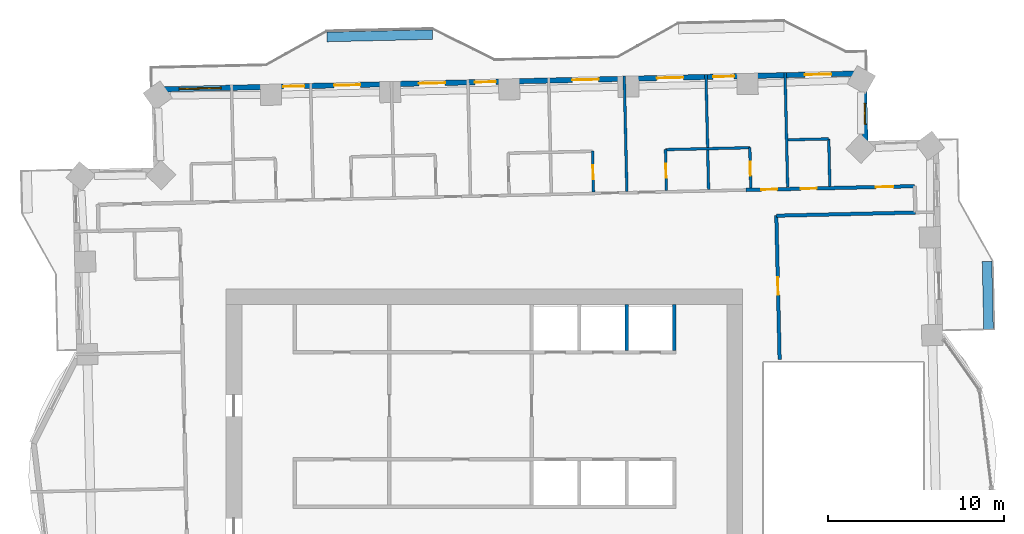
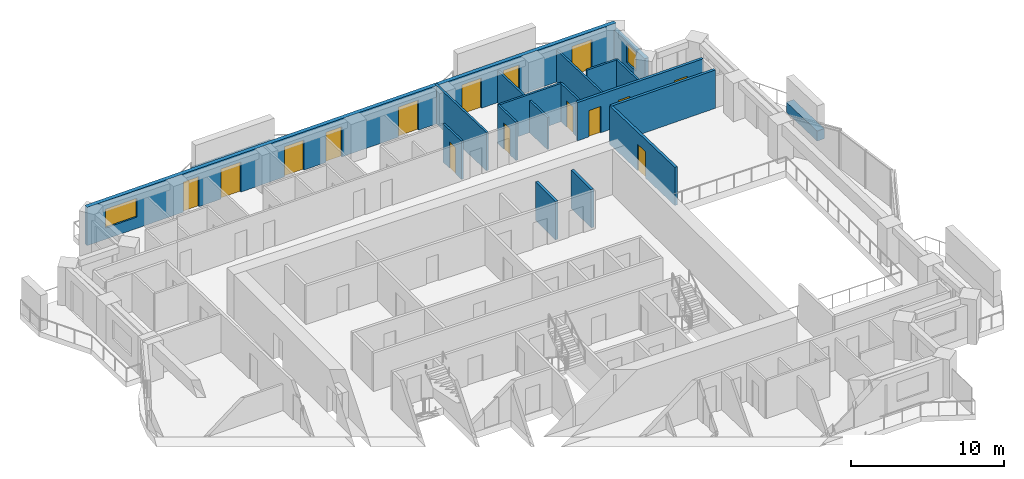
# One storey, part 11 of 16: 18 walls, 15 doors, 2 windows, 17 openings.
"""IFC4 building model written with IfcOpenShell, lengths in metres."""

from ifc_helpers import new_model, si_unit, direction, frame, frame_2d, origin, place, context, subcontext, project, spatial, rectangle, extrude, material, layer, layer_set, type_object, element, fill, save


model = new_model("IFC4")

# Units and contexts
model_context = context("Model", 3, precision=1e-05, world=origin(), true_north=direction((0.0, 1.0)))
body_context = subcontext(model_context, "Body", "Model", "MODEL_VIEW")
ifc_project = project(units=[si_unit("LENGTHUNIT", "METRE"), si_unit("AREAUNIT", "SQUARE_METRE"), si_unit("VOLUMEUNIT", "CUBIC_METRE"), si_unit("PLANEANGLEUNIT", "RADIAN"), si_unit("MASSUNIT", "GRAM", prefix="KILO")], contexts=[model_context])

# Site, building, storey
site_placement = place(None, origin())
site = spatial("IfcSite", under=ifc_project, at=site_placement, CompositionType="ELEMENT")
building_placement = place(site_placement, origin())
building = spatial("IfcBuilding", under=site, at=building_placement, Name="Mangrove Gate Tower", CompositionType="ELEMENT")
storey_placement = place(building_placement, frame((0.0, 0.0, 175.300048828125)))
storey = spatial("IfcBuildingStorey", under=building, at=storey_placement, Name="L44", CompositionType="ELEMENT", Elevation=175.300048828125)

# Walls
ifc_material_1 = material(Name="Concrete C60/75", Category="concrete")
ifc_layer_1 = layer(ifc_material_1, 0.199951171875)
ifc_layer_set_1 = layer_set([ifc_layer_1], Name="Core shaft wall 200 C60/75")
wall_type_1 = type_object("IfcWallType", Name="Core shaft wall 200 C60/75", PredefinedType="SHEAR", material=ifc_layer_set_1)
for number, where, z_axis, x_axis, name in (
    (1, (8.10009765625, 8.199951171875, 0.0), (0.0, 0.0, 1.0), (0.0, 1.0, 0.0), "WALL-L44-CORE-29"),
    (2, (10.800048828125, 8.199951171875, 0.0), (0.0, 0.0, 1.0), (0.0, 1.0, 0.0), "WALL-L44-CORE-30"),
):
    element("IfcWall", number, at=place(storey_placement, frame(where, z_axis=z_axis, x_axis=x_axis)), inside=storey, type_object=wall_type_1, Name=name, PredefinedType="SHEAR", context=body_context, shape_type="SweptSolid", body=[
        extrude(rectangle(XDim=2.60009765625, YDim=0.199951171875, at=frame_2d((1.300048828125, 0.0))), origin(), (0.0, 0.0, 1.0), 3.050048828125),
    ])

# Wall, opening, door
ifc_material_2 = material(Name="Gypsum board on steel stud, EI 60", Category="steel")
ifc_layer_2 = layer(ifc_material_2, 0.199951171875)
ifc_layer_set_2 = layer_set([ifc_layer_2], Name="Corridor wall EI 60")
wall_type_2 = type_object("IfcWallType", Name="Corridor wall EI 60", PredefinedType="PARTITIONING", material=ifc_layer_set_2)
wall_1_placement = place(storey_placement, frame((16.797119140625, 7.674072265625, 0.0), z_axis=(0.0, 0.0, 1.0), x_axis=(-0.022698399288, 0.999742358145, 0.0)))
wall_1 = element("IfcWall", 3, at=wall_1_placement, inside=storey, type_object=wall_type_2, Name="WALL-L44-038", PredefinedType="PARTITIONING", context=body_context, shape_type="SweptSolid", body=[
    extrude(rectangle(XDim=8.196044921875, YDim=0.199951171875, at=frame_2d((4.09814453125, 0.0))), origin(), (0.0, 0.0, 1.0), 3.050048828125),
])
opening_1_placement = place(wall_1_placement, frame((3.68310546875, 0.0, 0.0)))
opening_1 = element("IfcOpeningElement", 4, at=opening_1_placement, cuts=wall_1, Name="Opening AD", PredefinedType="OPENING", context=body_context, shape_type="SweptSolid", body=[
    extrude(rectangle(XDim=1.0, YDim=2.10009765625, at=frame_2d((0.5, 1.050048828125))), frame((0.0, 0.10986328125, 0.0), z_axis=(0.0, -1.0, 0.0), x_axis=(1.0, 0.0, 0.0)), (0.0, 0.0, 1.0), 0.219970703125),
])
ifc_material_3 = material(Name="Timber door leaf", Category="wood")
door_type_1 = type_object("IfcDoorType", Name="Amenity door 1000", OperationType="SINGLE_SWING_LEFT", PredefinedType="DOOR", material=ifc_material_3)
door_1_placement = place(opening_1_placement, origin())
door_1 = element("IfcDoor", 5, at=door_1_placement, inside=storey, type_object=door_type_1, Name="DOOR-L44-GAM-c3a", OperationType="SINGLE_SWING_RIGHT", OverallHeight=2.10009765625, OverallWidth=1.0, PredefinedType="DOOR", context=body_context, shape_type="SweptSolid", body=[
    extrude(rectangle(XDim=1.0, YDim=2.10009765625, at=frame_2d((0.5, 1.050048828125))), frame((0.0, 0.02490234375, 0.0), z_axis=(0.0, -1.0, 0.0), x_axis=(1.0, 0.0, 0.0)), (0.0, 0.0, 1.0), 0.050048828125),
])
fill(opening_1, door_1)

# Wall
wall_2_placement = place(storey_placement, frame((16.612060546875, 15.864013671875, 0.0), z_axis=(0.0, 0.0, 1.0), x_axis=(0.999741181744, 0.022750154412, 0.0)))
element("IfcWall", 6, at=wall_2_placement, inside=storey, type_object=wall_type_2, Name="WALL-L44-044", PredefinedType="PARTITIONING", context=body_context, shape_type="SweptSolid", body=[
    extrude(rectangle(XDim=7.908935546875, YDim=0.199951171875, at=frame_2d((3.95458984375, 0.0))), origin(), (0.0, 0.0, 1.0), 3.050048828125),
])

# Wall, openings, doors
wall_3_placement = place(storey_placement, frame((14.8798828125, 17.324951171875, 0.0), z_axis=(0.0, 0.0, 1.0), x_axis=(0.999742504166, 0.022691966963, 0.0)))
wall_3 = element("IfcWall", 7, at=wall_3_placement, inside=storey, type_object=wall_type_2, Name="WALL-L44-050", PredefinedType="PARTITIONING", context=body_context, shape_type="SweptSolid", body=[
    extrude(rectangle(XDim=9.607666015625, YDim=0.199951171875, at=frame_2d((4.8037109375, 0.0))), origin(), (0.0, 0.0, 1.0), 3.050048828125),
])
opening_2_placement = place(wall_3_placement, frame((7.39306640625, 0.0, 0.0)))
opening_2 = element("IfcOpeningElement", 8, at=opening_2_placement, cuts=wall_3, Name="Opening AD", PredefinedType="OPENING", context=body_context, shape_type="SweptSolid", body=[
    extrude(rectangle(XDim=1.0, YDim=2.10009765625, at=frame_2d((0.5, 1.050048828125))), frame((0.0, 0.10986328125, 0.0), z_axis=(0.0, -1.0, 0.0), x_axis=(1.0, 0.0, 0.0)), (0.0, 0.0, 1.0), 0.219970703125),
])
opening_3_placement = place(wall_3_placement, frame((3.1279296875, 0.0, 0.0)))
opening_3 = element("IfcOpeningElement", 9, at=opening_3_placement, cuts=wall_3, Name="Opening SD", PredefinedType="OPENING", context=body_context, shape_type="SweptSolid", body=[
    extrude(rectangle(XDim=0.89990234375, YDim=2.10009765625, at=frame_2d((0.449951171875, 1.050048828125))), frame((0.0, 0.10986328125, 0.0), z_axis=(0.0, -1.0, 0.0), x_axis=(1.0, 0.0, 0.0)), (0.0, 0.0, 1.0), 0.219970703125),
])
opening_4_placement = place(wall_3_placement, frame((0.8779296875, 0.0, 0.0)))
opening_4 = element("IfcOpeningElement", 10, at=opening_4_placement, cuts=wall_3, Name="Opening BD", PredefinedType="OPENING", context=body_context, shape_type="SweptSolid", body=[
    extrude(rectangle(XDim=0.89990234375, YDim=2.10009765625, at=frame_2d((0.449951171875, 1.050048828125))), frame((0.0, 0.10986328125, 0.0), z_axis=(0.0, -1.0, 0.0), x_axis=(1.0, 0.0, 0.0)), (0.0, 0.0, 1.0), 0.219970703125),
])
door_2_placement = place(opening_2_placement, origin())
door_2 = element("IfcDoor", 11, at=door_2_placement, inside=storey, type_object=door_type_1, Name="DOOR-L44-GAM-c3b", OperationType="SINGLE_SWING_LEFT", OverallHeight=2.10009765625, OverallWidth=1.0, PredefinedType="DOOR", context=body_context, shape_type="SweptSolid", body=[
    extrude(rectangle(XDim=1.0, YDim=2.10009765625, at=frame_2d((0.5, 1.050048828125))), frame((0.0, 0.02490234375, 0.0), z_axis=(0.0, -1.0, 0.0), x_axis=(1.0, 0.0, 0.0)), (0.0, 0.0, 1.0), 0.050048828125),
])
fill(opening_2, door_2)
ifc_material_4 = material(Name="Timber door leaf", Category="wood")
door_type_2 = type_object("IfcDoorType", Name="Bedroom door 900", OperationType="SINGLE_SWING_LEFT", PredefinedType="DOOR", material=ifc_material_4)
door_3_placement = place(opening_4_placement, origin())
door_3 = element("IfcDoor", 12, at=door_3_placement, inside=storey, type_object=door_type_2, Name="DOOR-L44-BED-c308", OperationType="SINGLE_SWING_RIGHT", OverallHeight=2.10009765625, OverallWidth=0.89990234375, PredefinedType="DOOR", context=body_context, shape_type="SweptSolid", body=[
    extrude(rectangle(XDim=0.89990234375, YDim=2.10009765625, at=frame_2d((0.449951171875, 1.050048828125))), frame((0.0, 0.02490234375, 0.0), z_axis=(0.0, -1.0, 0.0), x_axis=(1.0, 0.0, 0.0)), (0.0, 0.0, 1.0), 0.050048828125),
])
fill(opening_4, door_3)
ifc_material_5 = material(Name="Timber door leaf", Category="wood")
door_type_3 = type_object("IfcDoorType", Name="Service room door 900", OperationType="SINGLE_SWING_LEFT", PredefinedType="DOOR", material=ifc_material_5)
door_4_placement = place(opening_3_placement, origin())
door_4 = element("IfcDoor", 13, at=door_4_placement, inside=storey, type_object=door_type_3, Name="DOOR-L44-WC-c3a", OperationType="SINGLE_SWING_LEFT", OverallHeight=2.10009765625, OverallWidth=0.89990234375, PredefinedType="DOOR", context=body_context, shape_type="SweptSolid", body=[
    extrude(rectangle(XDim=0.89990234375, YDim=2.10009765625, at=frame_2d((0.449951171875, 1.050048828125))), frame((0.0, 0.02490234375, 0.0), z_axis=(0.0, -1.0, 0.0), x_axis=(1.0, 0.0, 0.0)), (0.0, 0.0, 1.0), 0.050048828125),
])
fill(opening_3, door_4)

# Wall, opening, window
ifc_material_6 = material(Name="Limestone", Category="masonry")
ifc_layer_3 = layer(ifc_material_6, 0.0400390625, Name="Limestone cladding")
ifc_material_7 = material(Name="Ventilated air gap")
ifc_layer_4 = layer(ifc_material_7, 0.0400390625, Name="Ventilated cavity")
ifc_material_8 = material(Name="Mineral wool insulation")
ifc_layer_5 = layer(ifc_material_8, 0.06005859375, Name="Insulation")
ifc_material_9 = material(Name="Breather membrane")
ifc_layer_6 = layer(ifc_material_9, 0.001953125, Name="Breather membrane")
ifc_material_10 = material(Name="Concrete C20/25 blockwork", Category="masonry")
ifc_layer_7 = layer(ifc_material_10, 0.14990234375, Name="Blockwork backing wall")
ifc_material_11 = material(Name="Gypsum plaster")
ifc_layer_8 = layer(ifc_material_11, 0.008056640625, Name="Internal plaster")
ifc_layer_set_3 = layer_set([ifc_layer_3, ifc_layer_4, ifc_layer_5, ifc_layer_6, ifc_layer_7, ifc_layer_8], Name="External wall 300 limestone cladding")
wall_type_3 = type_object("IfcWallType", Name="External wall 300 limestone cladding", PredefinedType="SOLIDWALL", material=ifc_layer_set_3)
wall_4_placement = place(storey_placement, frame((21.679931640625, 19.9599609375, 0.0), z_axis=(0.0, 0.0, 1.0), x_axis=(-0.022704768219, 0.999742213523, 0.0)))
wall_4 = element("IfcWall", 14, at=wall_4_placement, inside=storey, type_object=wall_type_3, Name="WALL-L44-E4", PredefinedType="SOLIDWALL", context=body_context, shape_type="SweptSolid", body=[
    extrude(rectangle(XDim=4.0, YDim=0.300048828125, at=frame_2d((2.0, 0.0))), origin(), (0.0, 0.0, 1.0), 2.550048828125),
])
opening_5_placement = place(wall_4_placement, frame((1.093017578125, 0.0, 0.89990234375)))
opening_5 = element("IfcOpeningElement", 15, at=opening_5_placement, cuts=wall_4, Name="Opening W1", PredefinedType="OPENING", context=body_context, shape_type="SweptSolid", body=[
    extrude(rectangle(XDim=1.199951171875, YDim=1.5, at=frame_2d((0.60009765625, 0.75))), frame((0.0, 0.159912109375, 0.0), z_axis=(0.0, -1.0, 0.0), x_axis=(1.0, 0.0, 0.0)), (0.0, 0.0, 1.0), 0.320068359375),
])
ifc_material_12 = material(Name="Aluminium frame with double-glazed low-e glass", Category="aluminium")
window_type_1 = type_object("IfcWindowType", Name="Side lite 1200x1500", PartitioningType="SINGLE_PANEL", PredefinedType="WINDOW", material=ifc_material_12)
window_1_placement = place(opening_5_placement, origin())
window_1 = element("IfcWindow", 16, at=window_1_placement, inside=storey, type_object=window_type_1, Name="WIN-L44-E4-1", OverallHeight=1.5, OverallWidth=1.199951171875, PartitioningType="SINGLE_PANEL", PredefinedType="WINDOW", context=body_context, shape_type="SweptSolid", body=[
    extrude(rectangle(XDim=1.199951171875, YDim=1.5, at=frame_2d((0.60009765625, 0.75))), frame((0.0, 0.030029296875, 0.0), z_axis=(0.0, -1.0, 0.0), x_axis=(1.0, 0.0, 0.0)), (0.0, 0.0, 1.0), 0.06005859375),
])
fill(opening_5, window_1)

# Wall, openings, doors, window
wall_5_placement = place(storey_placement, frame((21.589111328125, 23.958984375, 0.0), z_axis=(0.0, 0.0, 1.0), x_axis=(-0.999742671382, -0.022684598702, 0.0)))
wall_5 = element("IfcWall", 17, at=wall_5_placement, inside=storey, type_object=wall_type_3, Name="WALL-L44-N5", PredefinedType="SOLIDWALL", context=body_context, shape_type="SweptSolid", body=[
    extrude(rectangle(XDim=40.380615234375, YDim=0.300048828125, at=frame_2d((20.1904296875, 0.0))), origin(), (0.0, 0.0, 1.0), 3.050048828125),
])
opening_6_placement = place(wall_5_placement, frame((1.85302734375, 0.0, 0.0)))
opening_6 = element("IfcOpeningElement", 18, at=opening_6_placement, cuts=wall_5, Name="Opening BD1", PredefinedType="OPENING", context=body_context, shape_type="SweptSolid", body=[
    extrude(rectangle(XDim=1.5, YDim=2.39990234375, at=frame_2d((0.75, 1.199951171875))), frame((0.0, 0.159912109375, 0.0), z_axis=(0.0, -1.0, 0.0), x_axis=(1.0, 0.0, 0.0)), (0.0, 0.0, 1.0), 0.320068359375),
])
opening_7_placement = place(wall_5_placement, frame((7.3798828125, 0.0, 0.0)))
opening_7 = element("IfcOpeningElement", 19, at=opening_7_placement, cuts=wall_5, Name="Opening BD2", PredefinedType="OPENING", context=body_context, shape_type="SweptSolid", body=[
    extrude(rectangle(XDim=1.199951171875, YDim=2.39990234375, at=frame_2d((0.60009765625, 1.199951171875))), frame((0.0, 0.159912109375, 0.0), z_axis=(0.0, -1.0, 0.0), x_axis=(1.0, 0.0, 0.0)), (0.0, 0.0, 1.0), 0.320068359375),
])
opening_8_placement = place(wall_5_placement, frame((10.27001953125, 0.0, 0.0)))
opening_8 = element("IfcOpeningElement", 20, at=opening_8_placement, cuts=wall_5, Name="Opening BD1", PredefinedType="OPENING", context=body_context, shape_type="SweptSolid", body=[
    extrude(rectangle(XDim=1.5, YDim=2.39990234375, at=frame_2d((0.75, 1.199951171875))), frame((0.0, 0.159912109375, 0.0), z_axis=(0.0, -1.0, 0.0), x_axis=(1.0, 0.0, 0.0)), (0.0, 0.0, 1.0), 0.320068359375),
])
opening_9_placement = place(wall_5_placement, frame((15.094970703125, 0.0, 0.0)))
opening_9 = element("IfcOpeningElement", 21, at=opening_9_placement, cuts=wall_5, Name="Opening BD1", PredefinedType="OPENING", context=body_context, shape_type="SweptSolid", body=[
    extrude(rectangle(XDim=1.5, YDim=2.39990234375, at=frame_2d((0.75, 1.199951171875))), frame((0.0, 0.159912109375, 0.0), z_axis=(0.0, -1.0, 0.0), x_axis=(1.0, 0.0, 0.0)), (0.0, 0.0, 1.0), 0.320068359375),
])
opening_10_placement = place(wall_5_placement, frame((20.93505859375, 0.0, 0.0)))
opening_10 = element("IfcOpeningElement", 22, at=opening_10_placement, cuts=wall_5, Name="Opening BD2", PredefinedType="OPENING", context=body_context, shape_type="SweptSolid", body=[
    extrude(rectangle(XDim=1.199951171875, YDim=2.39990234375, at=frame_2d((0.60009765625, 1.199951171875))), frame((0.0, 0.159912109375, 0.0), z_axis=(0.0, -1.0, 0.0), x_axis=(1.0, 0.0, 0.0)), (0.0, 0.0, 1.0), 0.320068359375),
])
opening_11_placement = place(wall_5_placement, frame((23.824951171875, 0.0, 0.0)))
opening_11 = element("IfcOpeningElement", 23, at=opening_11_placement, cuts=wall_5, Name="Opening BD1", PredefinedType="OPENING", context=body_context, shape_type="SweptSolid", body=[
    extrude(rectangle(XDim=1.5, YDim=2.39990234375, at=frame_2d((0.75, 1.199951171875))), frame((0.0, 0.159912109375, 0.0), z_axis=(0.0, -1.0, 0.0), x_axis=(1.0, 0.0, 0.0)), (0.0, 0.0, 1.0), 0.320068359375),
])
opening_12_placement = place(wall_5_placement, frame((28.64990234375, 0.0, 0.0)))
opening_12 = element("IfcOpeningElement", 24, at=opening_12_placement, cuts=wall_5, Name="Opening BD1", PredefinedType="OPENING", context=body_context, shape_type="SweptSolid", body=[
    extrude(rectangle(XDim=1.5, YDim=2.39990234375, at=frame_2d((0.75, 1.199951171875))), frame((0.0, 0.159912109375, 0.0), z_axis=(0.0, -1.0, 0.0), x_axis=(1.0, 0.0, 0.0)), (0.0, 0.0, 1.0), 0.320068359375),
])
opening_13_placement = place(wall_5_placement, frame((31.840087890625, 0.0, 0.0)))
opening_13 = element("IfcOpeningElement", 25, at=opening_13_placement, cuts=wall_5, Name="Opening BD2", PredefinedType="OPENING", context=body_context, shape_type="SweptSolid", body=[
    extrude(rectangle(XDim=1.199951171875, YDim=2.39990234375, at=frame_2d((0.60009765625, 1.199951171875))), frame((0.0, 0.159912109375, 0.0), z_axis=(0.0, -1.0, 0.0), x_axis=(1.0, 0.0, 0.0)), (0.0, 0.0, 1.0), 0.320068359375),
])
opening_14_placement = place(wall_5_placement, frame((36.570068359375, 0.0, 0.89990234375)))
opening_14 = element("IfcOpeningElement", 26, at=opening_14_placement, cuts=wall_5, Name="Opening W2", PredefinedType="OPENING", context=body_context, shape_type="SweptSolid", body=[
    extrude(rectangle(XDim=2.39990234375, YDim=1.5, at=frame_2d((1.199951171875, 0.75))), frame((0.0, 0.159912109375, 0.0), z_axis=(0.0, -1.0, 0.0), x_axis=(1.0, 0.0, 0.0)), (0.0, 0.0, 1.0), 0.320068359375),
])
ifc_material_13 = material(Name="Aluminium frame with laminated clear glass", Category="aluminium")
door_type_4 = type_object("IfcDoorType", Name="Balcony sliding door 1200x2400", OperationType="SLIDING_TO_LEFT", PredefinedType="DOOR", material=ifc_material_13)
door_5_placement = place(opening_7_placement, origin())
door_5 = element("IfcDoor", 27, at=door_5_placement, inside=storey, type_object=door_type_4, Name="DOOR-L44-N5-2", OperationType="SLIDING_TO_LEFT", OverallHeight=2.39990234375, OverallWidth=1.199951171875, PredefinedType="DOOR", context=body_context, shape_type="SweptSolid", body=[
    extrude(rectangle(XDim=1.199951171875, YDim=2.39990234375, at=frame_2d((0.60009765625, 1.199951171875))), frame((0.0, 0.02490234375, 0.0), z_axis=(0.0, -1.0, 0.0), x_axis=(1.0, 0.0, 0.0)), (0.0, 0.0, 1.0), 0.050048828125),
])
fill(opening_7, door_5)
door_6_placement = place(opening_10_placement, origin())
door_6 = element("IfcDoor", 28, at=door_6_placement, inside=storey, type_object=door_type_4, Name="DOOR-L44-N5-5", OperationType="SLIDING_TO_LEFT", OverallHeight=2.39990234375, OverallWidth=1.199951171875, PredefinedType="DOOR", context=body_context, shape_type="SweptSolid", body=[
    extrude(rectangle(XDim=1.199951171875, YDim=2.39990234375, at=frame_2d((0.60009765625, 1.199951171875))), frame((0.0, 0.02490234375, 0.0), z_axis=(0.0, -1.0, 0.0), x_axis=(1.0, 0.0, 0.0)), (0.0, 0.0, 1.0), 0.050048828125),
])
fill(opening_10, door_6)
door_7_placement = place(opening_13_placement, origin())
door_7 = element("IfcDoor", 29, at=door_7_placement, inside=storey, type_object=door_type_4, Name="DOOR-L44-N5-8", OperationType="SLIDING_TO_LEFT", OverallHeight=2.39990234375, OverallWidth=1.199951171875, PredefinedType="DOOR", context=body_context, shape_type="SweptSolid", body=[
    extrude(rectangle(XDim=1.199951171875, YDim=2.39990234375, at=frame_2d((0.60009765625, 1.199951171875))), frame((0.0, 0.02490234375, 0.0), z_axis=(0.0, -1.0, 0.0), x_axis=(1.0, 0.0, 0.0)), (0.0, 0.0, 1.0), 0.050048828125),
])
fill(opening_13, door_7)
ifc_material_14 = material(Name="Aluminium frame with laminated clear glass", Category="aluminium")
door_type_5 = type_object("IfcDoorType", Name="Balcony sliding door 1500x2400", OperationType="SLIDING_TO_LEFT", PredefinedType="DOOR", material=ifc_material_14)
door_8_placement = place(opening_6_placement, origin())
door_8 = element("IfcDoor", 30, at=door_8_placement, inside=storey, type_object=door_type_5, Name="DOOR-L44-N5-1", OperationType="SLIDING_TO_LEFT", OverallHeight=2.39990234375, OverallWidth=1.5, PredefinedType="DOOR", context=body_context, shape_type="SweptSolid", body=[
    extrude(rectangle(XDim=1.5, YDim=2.39990234375, at=frame_2d((0.75, 1.199951171875))), frame((0.0, 0.02490234375, 0.0), z_axis=(0.0, -1.0, 0.0), x_axis=(1.0, 0.0, 0.0)), (0.0, 0.0, 1.0), 0.050048828125),
])
fill(opening_6, door_8)
door_9_placement = place(opening_8_placement, origin())
door_9 = element("IfcDoor", 31, at=door_9_placement, inside=storey, type_object=door_type_5, Name="DOOR-L44-N5-3", OperationType="SLIDING_TO_LEFT", OverallHeight=2.39990234375, OverallWidth=1.5, PredefinedType="DOOR", context=body_context, shape_type="SweptSolid", body=[
    extrude(rectangle(XDim=1.5, YDim=2.39990234375, at=frame_2d((0.75, 1.199951171875))), frame((0.0, 0.02490234375, 0.0), z_axis=(0.0, -1.0, 0.0), x_axis=(1.0, 0.0, 0.0)), (0.0, 0.0, 1.0), 0.050048828125),
])
fill(opening_8, door_9)
door_10_placement = place(opening_9_placement, origin())
door_10 = element("IfcDoor", 32, at=door_10_placement, inside=storey, type_object=door_type_5, Name="DOOR-L44-N5-4", OperationType="SLIDING_TO_LEFT", OverallHeight=2.39990234375, OverallWidth=1.5, PredefinedType="DOOR", context=body_context, shape_type="SweptSolid", body=[
    extrude(rectangle(XDim=1.5, YDim=2.39990234375, at=frame_2d((0.75, 1.199951171875))), frame((0.0, 0.02490234375, 0.0), z_axis=(0.0, -1.0, 0.0), x_axis=(1.0, 0.0, 0.0)), (0.0, 0.0, 1.0), 0.050048828125),
])
fill(opening_9, door_10)
door_11_placement = place(opening_11_placement, origin())
door_11 = element("IfcDoor", 33, at=door_11_placement, inside=storey, type_object=door_type_5, Name="DOOR-L44-N5-6", OperationType="SLIDING_TO_LEFT", OverallHeight=2.39990234375, OverallWidth=1.5, PredefinedType="DOOR", context=body_context, shape_type="SweptSolid", body=[
    extrude(rectangle(XDim=1.5, YDim=2.39990234375, at=frame_2d((0.75, 1.199951171875))), frame((0.0, 0.02490234375, 0.0), z_axis=(0.0, -1.0, 0.0), x_axis=(1.0, 0.0, 0.0)), (0.0, 0.0, 1.0), 0.050048828125),
])
fill(opening_11, door_11)
door_12_placement = place(opening_12_placement, origin())
door_12 = element("IfcDoor", 34, at=door_12_placement, inside=storey, type_object=door_type_5, Name="DOOR-L44-N5-7", OperationType="SLIDING_TO_LEFT", OverallHeight=2.39990234375, OverallWidth=1.5, PredefinedType="DOOR", context=body_context, shape_type="SweptSolid", body=[
    extrude(rectangle(XDim=1.5, YDim=2.39990234375, at=frame_2d((0.75, 1.199951171875))), frame((0.0, 0.02490234375, 0.0), z_axis=(0.0, -1.0, 0.0), x_axis=(1.0, 0.0, 0.0)), (0.0, 0.0, 1.0), 0.050048828125),
])
fill(opening_12, door_12)
ifc_material_15 = material(Name="Aluminium frame with double-glazed low-e glass", Category="aluminium")
window_type_2 = type_object("IfcWindowType", Name="Corner room window 2400x1500", PartitioningType="DOUBLE_PANEL_VERTICAL", PredefinedType="WINDOW", material=ifc_material_15)
window_2_placement = place(opening_14_placement, origin())
window_2 = element("IfcWindow", 35, at=window_2_placement, inside=storey, type_object=window_type_2, Name="WIN-L44-N5-9", OverallHeight=1.5, OverallWidth=2.39990234375, PartitioningType="DOUBLE_PANEL_VERTICAL", PredefinedType="WINDOW", context=body_context, shape_type="SweptSolid", body=[
    extrude(rectangle(XDim=2.39990234375, YDim=1.5, at=frame_2d((1.199951171875, 0.75))), frame((0.0, 0.030029296875, 0.0), z_axis=(0.0, -1.0, 0.0), x_axis=(1.0, 0.0, 0.0)), (0.0, 0.0, 1.0), 0.06005859375),
])
fill(opening_14, window_2)

# Wall, opening, door
ifc_material_16 = material(Name="Gypsum board on steel stud, EI 60", Category="steel")
ifc_layer_9 = layer(ifc_material_16, 0.14990234375)
ifc_layer_set_4 = layer_set([ifc_layer_9], Name="Party wall 150 EI 60")
wall_type_4 = type_object("IfcWallType", Name="Party wall 150 EI 60", PredefinedType="PARTITIONING", material=ifc_layer_set_4)
wall_6_placement = place(storey_placement, frame((6.2080078125, 17.2080078125, 0.0), z_axis=(0.0, 0.0, 1.0), x_axis=(-0.02279059109, 0.999740260747, 0.0)))
wall_6 = element("IfcWall", 36, at=wall_6_placement, inside=storey, type_object=wall_type_4, Name="WALL-L44-061", PredefinedType="PARTITIONING", context=body_context, shape_type="SweptSolid", body=[
    extrude(rectangle(XDim=2.324462890625, YDim=0.14990234375, at=frame_2d((1.162109375, 0.0))), origin(), (0.0, 0.0, 1.0), 3.050048828125),
])
opening_15_placement = place(wall_6_placement, frame((0.72509765625, 0.0, 0.0)))
opening_15 = element("IfcOpeningElement", 37, at=opening_15_placement, cuts=wall_6, Name="Opening ED", PredefinedType="OPENING", context=body_context, shape_type="SweptSolid", body=[
    extrude(rectangle(XDim=0.800048828125, YDim=2.10009765625, at=frame_2d((0.39990234375, 1.050048828125))), frame((0.0, 0.0849609375, 0.0), z_axis=(0.0, -1.0, 0.0), x_axis=(1.0, 0.0, 0.0)), (0.0, 0.0, 1.0), 0.169921875),
])
ifc_material_17 = material(Name="Timber door leaf", Category="wood")
door_type_6 = type_object("IfcDoorType", Name="En-suite door 800", OperationType="SINGLE_SWING_LEFT", PredefinedType="DOOR", material=ifc_material_17)
door_13_placement = place(opening_15_placement, origin())
door_13 = element("IfcDoor", 38, at=door_13_placement, inside=storey, type_object=door_type_6, Name="DOOR-L44-ENS-c410", OperationType="SINGLE_SWING_RIGHT", OverallHeight=2.10009765625, OverallWidth=0.800048828125, PredefinedType="DOOR", context=body_context, shape_type="SweptSolid", body=[
    extrude(rectangle(XDim=0.800048828125, YDim=2.10009765625, at=frame_2d((0.39990234375, 1.050048828125))), frame((0.0, 0.02490234375, 0.0), z_axis=(0.0, -1.0, 0.0), x_axis=(1.0, 0.0, 0.0)), (0.0, 0.0, 1.0), 0.050048828125),
])
fill(opening_15, door_13)

# Wall
wall_7_placement = place(storey_placement, frame((8.10791015625, 17.2509765625, 0.0), z_axis=(0.0, 0.0, 1.0), x_axis=(-0.022734104141, 0.999741546855, 0.0)))
element("IfcWall", 39, at=wall_7_placement, inside=storey, type_object=wall_type_4, Name="WALL-L44-062", PredefinedType="PARTITIONING", context=body_context, shape_type="SweptSolid", body=[
    extrude(rectangle(XDim=6.55078125, YDim=0.14990234375, at=frame_2d((3.275390625, 0.0))), origin(), (0.0, 0.0, 1.0), 3.050048828125),
])

# Wall, opening, door
wall_8_placement = place(storey_placement, frame((10.35693359375, 17.302001953125, 0.0), z_axis=(0.0, 0.0, 1.0), x_axis=(-0.02279059109, 0.999740260747, 0.0)))
wall_8 = element("IfcWall", 40, at=wall_8_placement, inside=storey, type_object=wall_type_4, Name="WALL-L44-063", PredefinedType="PARTITIONING", context=body_context, shape_type="SweptSolid", body=[
    extrude(rectangle(XDim=2.324462890625, YDim=0.14990234375, at=frame_2d((1.162109375, 0.0))), origin(), (0.0, 0.0, 1.0), 3.050048828125),
])
opening_16_placement = place(wall_8_placement, frame((0.72509765625, 0.0, 0.0)))
opening_16 = element("IfcOpeningElement", 41, at=opening_16_placement, cuts=wall_8, Name="Opening ED", PredefinedType="OPENING", context=body_context, shape_type="SweptSolid", body=[
    extrude(rectangle(XDim=0.800048828125, YDim=2.10009765625, at=frame_2d((0.39990234375, 1.050048828125))), frame((0.0, 0.0849609375, 0.0), z_axis=(0.0, -1.0, 0.0), x_axis=(1.0, 0.0, 0.0)), (0.0, 0.0, 1.0), 0.169921875),
])
door_14_placement = place(opening_16_placement, origin())
door_14 = element("IfcDoor", 42, at=door_14_placement, inside=storey, type_object=door_type_6, Name="DOOR-L44-ENS-c309", OperationType="SINGLE_SWING_LEFT", OverallHeight=2.10009765625, OverallWidth=0.800048828125, PredefinedType="DOOR", context=body_context, shape_type="SweptSolid", body=[
    extrude(rectangle(XDim=0.800048828125, YDim=2.10009765625, at=frame_2d((0.39990234375, 1.050048828125))), frame((0.0, 0.02490234375, 0.0), z_axis=(0.0, -1.0, 0.0), x_axis=(1.0, 0.0, 0.0)), (0.0, 0.0, 1.0), 0.050048828125),
])
fill(opening_16, door_14)

# Wall
wall_9_placement = place(storey_placement, frame((12.757080078125, 17.35595703125, 0.0), z_axis=(0.0, 0.0, 1.0), x_axis=(-0.022771353855, 0.999740699103, 0.0)))
element("IfcWall", 43, at=wall_9_placement, inside=storey, type_object=wall_type_4, Name="WALL-L44-064", PredefinedType="PARTITIONING", context=body_context, shape_type="SweptSolid", body=[
    extrude(rectangle(XDim=6.55078125, YDim=0.14990234375, at=frame_2d((3.275390625, 0.0))), origin(), (0.0, 0.0, 1.0), 2.550048828125),
])

# Wall, opening, door
wall_10_placement = place(storey_placement, frame((15.155029296875, 17.43603515625, 0.0), z_axis=(0.0, 0.0, 1.0), x_axis=(-0.022612884682, 0.999744296031, 0.0)))
wall_10 = element("IfcWall", 44, at=wall_10_placement, inside=storey, type_object=wall_type_4, Name="WALL-L44-065", PredefinedType="PARTITIONING", context=body_context, shape_type="SweptSolid", body=[
    extrude(rectangle(XDim=2.299560546875, YDim=0.14990234375, at=frame_2d((1.14990234375, 0.0))), origin(), (0.0, 0.0, 1.0), 3.050048828125),
])
opening_17_placement = place(wall_10_placement, frame((0.699951171875, 0.0, 0.0)))
opening_17 = element("IfcOpeningElement", 45, at=opening_17_placement, cuts=wall_10, Name="Opening ED", PredefinedType="OPENING", context=body_context, shape_type="SweptSolid", body=[
    extrude(rectangle(XDim=0.800048828125, YDim=2.10009765625, at=frame_2d((0.39990234375, 1.050048828125))), frame((0.0, 0.0849609375, 0.0), z_axis=(0.0, -1.0, 0.0), x_axis=(1.0, 0.0, 0.0)), (0.0, 0.0, 1.0), 0.169921875),
])
door_15_placement = place(opening_17_placement, origin())
door_15 = element("IfcDoor", 46, at=door_15_placement, inside=storey, type_object=door_type_6, Name="DOOR-L44-ENS-c308", OperationType="SINGLE_SWING_RIGHT", OverallHeight=2.10009765625, OverallWidth=0.800048828125, PredefinedType="DOOR", context=body_context, shape_type="SweptSolid", body=[
    extrude(rectangle(XDim=0.800048828125, YDim=2.10009765625, at=frame_2d((0.39990234375, 1.050048828125))), frame((0.0, 0.02490234375, 0.0), z_axis=(0.0, -1.0, 0.0), x_axis=(1.0, 0.0, 0.0)), (0.0, 0.0, 1.0), 0.050048828125),
])
fill(opening_17, door_15)

# Walls
wall_11_placement = place(storey_placement, frame((17.2548828125, 17.48291015625, 0.0), z_axis=(0.0, 0.0, 1.0), x_axis=(-0.022667874761, 0.999743050715, 0.0)))
element("IfcWall", 47, at=wall_11_placement, inside=storey, type_object=wall_type_4, Name="WALL-L44-066", PredefinedType="PARTITIONING", context=body_context, shape_type="SweptSolid", body=[
    extrude(rectangle(XDim=6.52685546875, YDim=0.14990234375, at=frame_2d((3.263427734375, 0.0))), origin(), (0.0, 0.0, 1.0), 2.550048828125),
])
wall_12_placement = place(storey_placement, frame((19.654052734375, 17.5380859375, 0.0), z_axis=(0.0, 0.0, 1.0), x_axis=(-0.02260842146, 0.999744396973, 0.0)))
element("IfcWall", 48, at=wall_12_placement, inside=storey, type_object=wall_type_4, Name="WALL-L44-067", PredefinedType="PARTITIONING", context=body_context, shape_type="SweptSolid", body=[
    extrude(rectangle(XDim=2.69970703125, YDim=0.14990234375, at=frame_2d((1.349853515625, 0.0))), origin(), (0.0, 0.0, 1.0), 3.050048828125),
])
wall_13_placement = place(storey_placement, frame((10.304931640625, 19.6220703125, 0.0), z_axis=(0.0, 0.0, 1.0), x_axis=(0.999742596585, 0.02268789488, 0.0)))
element("IfcWall", 49, at=wall_13_placement, inside=storey, type_object=wall_type_4, Name="WALL-L44-072", PredefinedType="PARTITIONING", context=body_context, shape_type="SweptSolid", body=[
    extrude(rectangle(XDim=4.79931640625, YDim=0.14990234375, at=frame_2d((2.399658203125, 0.0))), origin(), (0.0, 0.0, 1.0), 3.050048828125),
])
wall_14_placement = place(storey_placement, frame((17.26904296875, 20.179931640625, 0.0), z_axis=(0.0, 0.0, 1.0), x_axis=(0.999740260747, 0.02279059109, 0.0)))
element("IfcWall", 50, at=wall_14_placement, inside=storey, type_object=wall_type_4, Name="WALL-L44-073", PredefinedType="PARTITIONING", context=body_context, shape_type="SweptSolid", body=[
    extrude(rectangle(XDim=2.324462890625, YDim=0.14990234375, at=frame_2d((1.162109375, 0.0))), origin(), (0.0, 0.0, 1.0), 3.050048828125),
])
ifc_material_18 = material(Name="Concrete C32/40", Category="concrete")
ifc_layer_10 = layer(ifc_material_18, 0.199951171875, Name="Planter trough wall")
ifc_material_19 = material(Name="Bituminous waterproofing membrane")
ifc_layer_11 = layer(ifc_material_19, 0.0048828125, Name="Waterproofing")
ifc_material_20 = material(Name="Drainage board and gravel")
ifc_layer_12 = layer(ifc_material_20, 0.044921875, Name="Drainage layer")
ifc_material_21 = material(Name="Planting soil")
ifc_layer_13 = layer(ifc_material_21, 0.300048828125, Name="Growing medium")
ifc_layer_set_5 = layer_set([ifc_layer_10, ifc_layer_11, ifc_layer_12, ifc_layer_13], Name="Planter wall 550 C32/40")
wall_type_5 = type_object("IfcWallType", Name="Planter wall 550 C32/40", PredefinedType="USERDEFINED", material=ifc_layer_set_5)
wall_15_placement = place(storey_placement, frame((28.68603515625, 9.39208984375, 0.0), z_axis=(0.0, 0.0, 1.0), x_axis=(-0.022744303924, 0.999741314861, 0.0)))
element("IfcWall", 51, at=wall_15_placement, inside=storey, type_object=wall_type_5, Name="PLANTER L44 E1.1", ObjectType="PLANTER", PredefinedType="USERDEFINED", context=body_context, shape_type="SweptSolid", body=[
    extrude(rectangle(XDim=3.875, YDim=0.550048828125, at=frame_2d((1.9375, 0.0))), origin(), (0.0, 0.0, 1.0), 0.800048828125),
])
wall_16_placement = place(storey_placement, frame((-8.9560546875, 26.031982421875, 0.0), z_axis=(0.0, 0.0, 1.0), x_axis=(0.999743094499, 0.022665943652, 0.0)))
element("IfcWall", 52, at=wall_16_placement, inside=storey, type_object=wall_type_5, Name="PLANTER L44 N1.1", ObjectType="PLANTER", PredefinedType="USERDEFINED", context=body_context, shape_type="SweptSolid", body=[
    extrude(rectangle(XDim=5.99951171875, YDim=0.550048828125, at=frame_2d((2.999755859375, 0.0))), origin(), (0.0, 0.0, 1.0), 0.800048828125),
])

save(model, "model.ifc")
